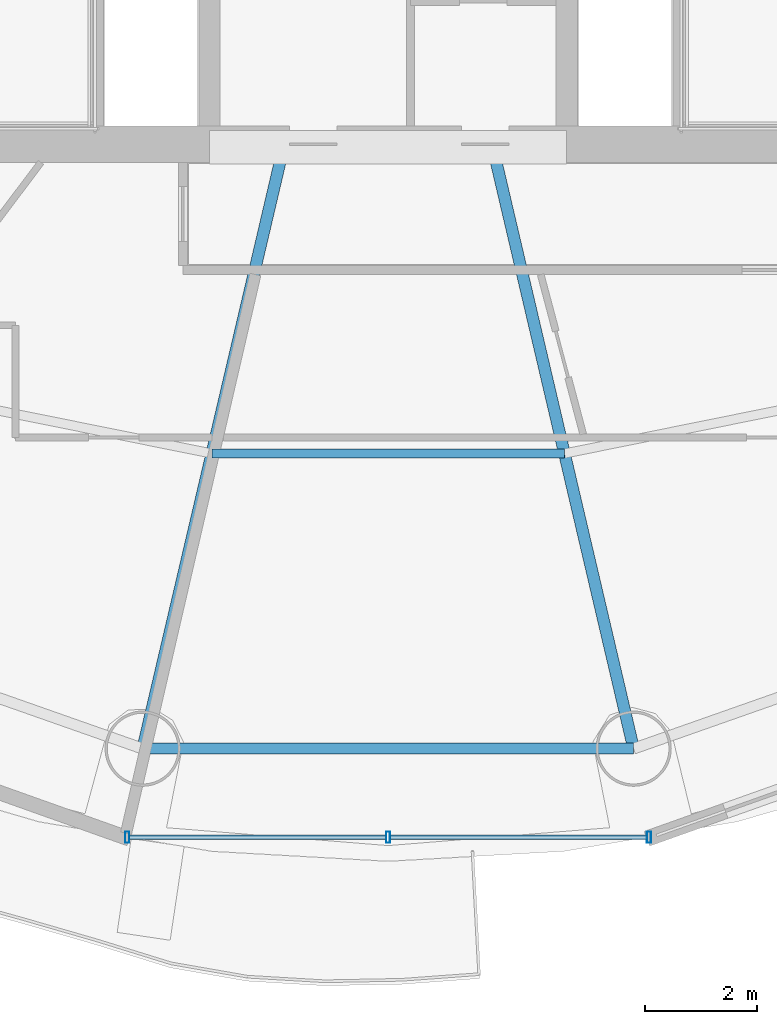
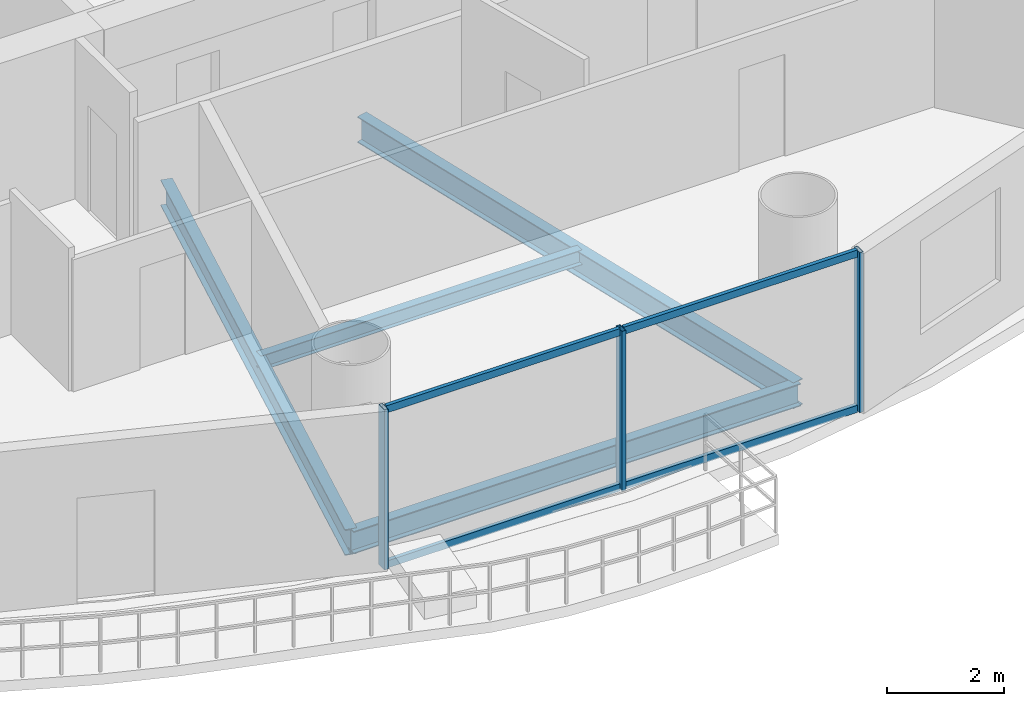
# One storey, part 4 of 26: 7 members, 4 beams, 1 element without a shape of its own.
"""IFC4 building model written with IfcOpenShell, lengths in metres."""

from ifc_helpers import new_model, si_unit, direction, frame, origin, origin_2d, place, context, subcontext, project, spatial, hollow_rectangle, i_section, extrude, source, transform, mapped, material, material_profile, profile_set, type_object, element, aggregate, save


model = new_model("IFC4")

# Units and contexts
model_context = context("Model", 3, precision=1e-05, world=origin(), true_north=direction((-0.2419218956, 0.970295726276)))
body_context = subcontext(model_context, "Body", "Model", "MODEL_VIEW")
ifc_project = project(units=[si_unit("LENGTHUNIT", "METRE"), si_unit("AREAUNIT", "SQUARE_METRE"), si_unit("VOLUMEUNIT", "CUBIC_METRE"), si_unit("PLANEANGLEUNIT", "RADIAN"), si_unit("MASSUNIT", "GRAM", prefix="KILO")], contexts=[model_context])

# Site, building, storey
site_placement = place(None, origin())
site = spatial("IfcSite", under=ifc_project, at=site_placement, CompositionType="ELEMENT")
building_placement = place(site_placement, origin())
building = spatial("IfcBuilding", under=site, at=building_placement, Name="Cobrevalo Terracotta Tower", CompositionType="ELEMENT")
storey_placement = place(building_placement, frame((0.0, 0.0, 178.60009765625)))
storey = spatial("IfcBuildingStorey", under=building, at=storey_placement, Name="L47", CompositionType="ELEMENT", Elevation=178.60009765625)

# Beams
ifc_material_1 = material(Name="Steel S355", Category="steel")
ifc_material_profile_1 = material_profile(ifc_material_1, i_section(OverallWidth=0.2109375, OverallDepth=0.5390625, WebThickness=0.01171875, FlangeThickness=0.018798828125, at=origin_2d()), Name="W 530x109")
ifc_profile_set_1 = profile_set([ifc_material_profile_1], Name="Steel S355")
beam_type_1 = type_object("IfcBeamType", Name="Structural Beam W 530x109 (Steel S355)", PredefinedType="BEAM", material=ifc_profile_set_1)
for number, where, z_axis, x_axis, name in (
    (1, (33.600830078125, 8.01806640625, -0.53955078125), (0.228045854186, 0.973650393308, 0.0), (-0.973650393308, 0.228045854186, 0.0), "L47 radial floor girder 12"),
    (2, (42.399169921875, 8.01806640625, -0.53955078125), (-0.228045854186, 0.973650393308, 0.0), (-0.973650393308, -0.228045854186, 0.0), "L47 radial floor girder 13"),
):
    element("IfcBeam", number, at=place(storey_placement, frame(where, z_axis=z_axis, x_axis=x_axis)), inside=storey, type_object=beam_type_1, Name=name, PredefinedType="BEAM", context=body_context, shape_type="SweptSolid", body=[
        extrude(i_section(OverallWidth=0.2109375, OverallDepth=0.5390625, WebThickness=0.01171875, FlangeThickness=0.018798828125, at=origin_2d()), origin(), (0.0, 0.0, 1.0), 10.863037109375),
    ])
ifc_material_profile_2 = material_profile(ifc_material_1, i_section(OverallWidth=0.1650390625, OverallDepth=0.31005859375, WebThickness=0.005859375, FlangeThickness=0.009765625, at=origin_2d()), Name="W 310x38.7")
ifc_profile_set_2 = profile_set([ifc_material_profile_2], Name="Steel S355")
beam_type_2 = type_object("IfcBeamType", Name="Structural Joist W 310x38.7 (Steel S355)", PredefinedType="JOIST", material=ifc_profile_set_2)
beam_1_placement = place(storey_placement, frame((34.83935546875, 13.306396484375, -0.425048828125), z_axis=(1.0, 0.0, 0.0), x_axis=(0.0, 1.0, 0.0)))
element("IfcBeam", 3, at=beam_1_placement, inside=storey, type_object=beam_type_2, Name="L47 circumferential secondary floor joist 12", PredefinedType="JOIST", context=body_context, shape_type="SweptSolid", body=[
    extrude(i_section(OverallWidth=0.1650390625, OverallDepth=0.31005859375, WebThickness=0.005859375, FlangeThickness=0.009765625, at=origin_2d()), origin(), (0.0, 0.0, 1.0), 6.3212890625),
])
ifc_material_profile_3 = material_profile(ifc_material_1, i_section(OverallWidth=0.194091796875, OverallDepth=0.468994140625, WebThickness=0.011474609375, FlangeThickness=0.0205078125, at=origin_2d()), Name="W 460x106")
ifc_profile_set_3 = profile_set([ifc_material_profile_3], Name="Steel S355")
beam_type_3 = type_object("IfcBeamType", Name="Structural Spandrel W 460x106 (Steel S355)", PredefinedType="SPANDREL", material=ifc_profile_set_3)
beam_2_placement = place(storey_placement, frame((33.600830078125, 8.01806640625, -0.504638671875), z_axis=(1.0, 0.0, 0.0), x_axis=(0.0, 1.0, 0.0)))
element("IfcBeam", 4, at=beam_2_placement, inside=storey, type_object=beam_type_3, Name="L47 perimeter ring spandrel 12", PredefinedType="SPANDREL", context=body_context, shape_type="SweptSolid", body=[
    extrude(i_section(OverallWidth=0.194091796875, OverallDepth=0.468994140625, WebThickness=0.011474609375, FlangeThickness=0.0205078125, at=origin_2d()), origin(), (0.0, 0.0, 1.0), 8.79833984375),
])

# Curtain wall, members
ifc_material_2 = material(Name="Anodized aluminium", Category="aluminium")
curtain_wall_type = type_object("IfcCurtainWallType", Name="Mid-tower high-wind unitised curtain wall CW-U2", PredefinedType="NOTDEFINED", material=ifc_material_2)
curtain_wall_placement = place(storey_placement, origin())
curtain_wall = element("IfcCurtainWall", 5, at=curtain_wall_placement, inside=storey, type_object=curtain_wall_type, Name="L47 curtain wall CW-L47-S12", PredefinedType="NOTDEFINED")
ifc_material_profile_4 = material_profile(ifc_material_2, hollow_rectangle(XDim=0.074951171875, YDim=0.14990234375, WallThickness=0.00439453125, at=origin_2d()), Name="CWT 75x150")
ifc_profile_set_4 = profile_set([ifc_material_profile_4], Name="Anodized aluminium")
member_type_1 = type_object("IfcMemberType", Name="Tower unitised aluminium transom 75x150", PredefinedType="USERDEFINED", material=ifc_profile_set_4)
shared_shape_1 = source(origin(), body_context, "Body", "SweptSolid", [
    extrude(hollow_rectangle(XDim=0.074951171875, YDim=0.14990234375, WallThickness=0.00439453125, at=origin_2d()), origin(), (0.0, 0.0, 1.0), 4.59521484375),
])
member_1_placement = place(storey_placement, frame((33.36474609375, 6.42919921875, 0.0498046875), z_axis=(1.0, 0.0, 0.0), x_axis=(0.0, 1.0, 0.0)))
member_1 = element("IfcMember", 6, at=member_1_placement, type_object=member_type_1, Name="CW-L47-S12 transom B01-T1", ObjectType="TRANSOM", PredefinedType="USERDEFINED", context=body_context, shape_type="MappedRepresentation", body=[
    mapped(shared_shape_1, transform((0.0, 0.0, 0.0), scale=1.0)),
])
member_2_placement = place(storey_placement, frame((33.36474609375, 6.42919921875, 3.27978515625), z_axis=(1.0, 0.0, 0.0), x_axis=(0.0, 1.0, 0.0)))
member_2 = element("IfcMember", 7, at=member_2_placement, type_object=member_type_1, Name="CW-L47-S12 transom B01-T2", ObjectType="TRANSOM", PredefinedType="USERDEFINED", context=body_context, shape_type="MappedRepresentation", body=[
    mapped(shared_shape_1, transform((0.0, 0.0, 0.0), scale=1.0)),
])
member_3_placement = place(storey_placement, frame((38.0400390625, 6.42919921875, 0.0498046875), z_axis=(1.0, 0.0, 0.0), x_axis=(0.0, 1.0, 0.0)))
member_3 = element("IfcMember", 8, at=member_3_placement, type_object=member_type_1, Name="CW-L47-S12 transom B02-T1", ObjectType="TRANSOM", PredefinedType="USERDEFINED", context=body_context, shape_type="MappedRepresentation", body=[
    mapped(shared_shape_1, transform((0.0, 0.0, 0.0), scale=1.0)),
])
member_4_placement = place(storey_placement, frame((38.0400390625, 6.42919921875, 3.27978515625), z_axis=(1.0, 0.0, 0.0), x_axis=(0.0, 1.0, 0.0)))
member_4 = element("IfcMember", 9, at=member_4_placement, type_object=member_type_1, Name="CW-L47-S12 transom B02-T2", ObjectType="TRANSOM", PredefinedType="USERDEFINED", context=body_context, shape_type="MappedRepresentation", body=[
    mapped(shared_shape_1, transform((0.0, 0.0, 0.0), scale=1.0)),
])
ifc_material_profile_5 = material_profile(ifc_material_2, hollow_rectangle(XDim=0.074951171875, YDim=0.199951171875, WallThickness=0.0048828125, at=origin_2d()), Name="CWM 75x200")
ifc_profile_set_5 = profile_set([ifc_material_profile_5], Name="Anodized aluminium")
member_type_2 = type_object("IfcMemberType", Name="Lower/mid tower unitised mullion 75x200", PredefinedType="MULLION", material=ifc_profile_set_5)
shared_shape_2 = source(origin(), body_context, "Body", "SweptSolid", [
    extrude(hollow_rectangle(XDim=0.074951171875, YDim=0.199951171875, WallThickness=0.0048828125, at=origin_2d()), origin(), (0.0, 0.0, 1.0), 3.329833984375),
])
member_5_placement = place(storey_placement, frame((33.32470703125, 6.42919921875, 0.0), z_axis=(0.0, 0.0, 1.0), x_axis=(1.0, 0.0, 0.0)))
member_5 = element("IfcMember", 10, at=member_5_placement, type_object=member_type_2, Name="CW-L47-S12 vertical mullion 01", PredefinedType="MULLION", context=body_context, shape_type="MappedRepresentation", body=[
    mapped(shared_shape_2, transform((0.0, 0.0, 0.0), scale=1.0)),
])
member_6_placement = place(storey_placement, frame((38.0, 6.42919921875, 0.0), z_axis=(0.0, 0.0, 1.0), x_axis=(1.0, 0.0, 0.0)))
member_6 = element("IfcMember", 11, at=member_6_placement, type_object=member_type_2, Name="CW-L47-S12 vertical mullion 02", PredefinedType="MULLION", context=body_context, shape_type="MappedRepresentation", body=[
    mapped(shared_shape_2, transform((0.0, 0.0, 0.0), scale=1.0)),
])
member_7_placement = place(storey_placement, frame((42.67529296875, 6.42919921875, 0.0), z_axis=(0.0, 0.0, 1.0), x_axis=(1.0, 0.0, 0.0)))
member_7 = element("IfcMember", 12, at=member_7_placement, type_object=member_type_2, Name="CW-L47-S12 vertical mullion 03", PredefinedType="MULLION", context=body_context, shape_type="MappedRepresentation", body=[
    mapped(shared_shape_2, transform((0.0, 0.0, 0.0), scale=1.0)),
])
aggregate(curtain_wall, [member_5, member_6, member_7, member_1, member_2, member_3, member_4])

save(model, "model.ifc")
